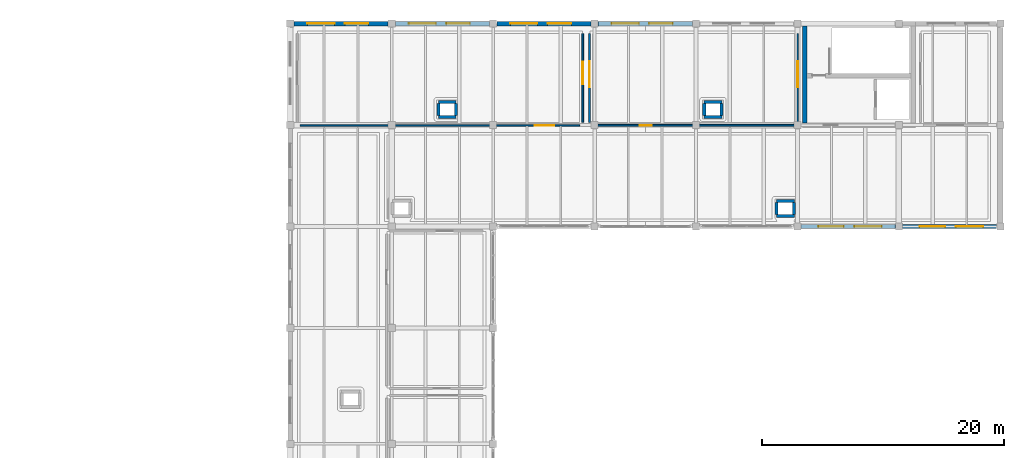
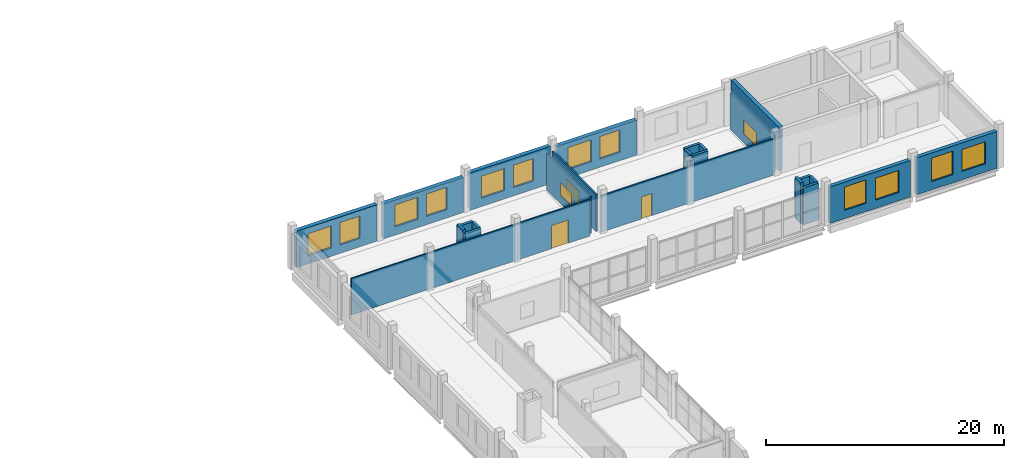
# One storey, part 51 of 54: 24 walls, 15 windows, 2 doors, 17 openings.
"""IFC4 building model written with IfcOpenShell, lengths in metres."""

from ifc_helpers import new_model, si_unit, direction, frame, frame_2d, origin, place, context, subcontext, project, spatial, rectangle, extrude, material, layer, layer_set, type_object, element, fill, save


model = new_model("IFC4")

# Units and contexts
model_context = context("Model", 3, precision=1e-05, world=origin(), true_north=direction((0.0, 1.0)))
body_context = subcontext(model_context, "Body", "Model", "MODEL_VIEW")
ifc_project = project(units=[si_unit("LENGTHUNIT", "METRE"), si_unit("AREAUNIT", "SQUARE_METRE"), si_unit("VOLUMEUNIT", "CUBIC_METRE"), si_unit("PLANEANGLEUNIT", "RADIAN"), si_unit("MASSUNIT", "GRAM", prefix="KILO")], contexts=[model_context])

# Site, building, storey
site_placement = place(None, origin())
site = spatial("IfcSite", under=ifc_project, at=site_placement, CompositionType="ELEMENT")
building_placement = place(site_placement, origin())
building = spatial("IfcBuilding", under=site, at=building_placement, Name="Zulmaris Art Gallery", CompositionType="ELEMENT")
storey_placement = place(building_placement, frame((0.0, 0.0, 26.39990234375)))
storey = spatial("IfcBuildingStorey", under=building, at=storey_placement, Name="L05", CompositionType="ELEMENT", Elevation=26.39990234375)

# Wall, openings, windows
ifc_material_1 = material(Name="Omani Desert Rose Limestone Cladding Wall", Category="masonry")
ifc_layer_1 = layer(ifc_material_1, 0.389892578125)
ifc_layer_set_1 = layer_set([ifc_layer_1], Name="Omani Desert Rose Limestone Cladding Wall")
wall_type_1 = type_object("IfcWallType", Name="ENV-WALL-EW02", PredefinedType="SOLIDWALL", material=ifc_layer_set_1)
wall_1_placement = place(storey_placement, frame((141.902099609375, 75.60009765625, 0.0), z_axis=(0.0, 0.0, 1.0), x_axis=(1.0, 0.0, 0.0)))
wall_1 = element("IfcWall", 1, at=wall_1_placement, inside=storey, type_object=wall_type_1, Name="L05 V5 North Studio Daylight Facade Bay 1", PredefinedType="SOLIDWALL", context=body_context, shape_type="SweptSolid", body=[
    extrude(rectangle(XDim=7.7958984375, YDim=0.389892578125, at=frame_2d((3.89794921875, 0.0))), origin(), (0.0, 0.0, 1.0), 3.739990234375),
])
opening_1_placement = place(wall_1_placement, frame((1.117919921875, 0.0, 0.85009765625)))
opening_1 = element("IfcOpeningElement", 2, at=opening_1_placement, cuts=wall_1, Name="Opening W09", PredefinedType="OPENING", context=body_context, shape_type="SweptSolid", body=[
    extrude(rectangle(XDim=2.25, YDim=2.25, at=frame_2d((1.125, 1.125))), frame((0.0, 0.204833984375, 0.0), z_axis=(0.0, -1.0, 0.0), x_axis=(1.0, 0.0, 0.0)), (0.0, 0.0, 1.0), 0.409912109375),
])
opening_2_placement = place(wall_1_placement, frame((4.218017578125, 0.0, 0.85009765625)))
opening_2 = element("IfcOpeningElement", 3, at=opening_2_placement, cuts=wall_1, Name="Opening W08", PredefinedType="OPENING", context=body_context, shape_type="SweptSolid", body=[
    extrude(rectangle(XDim=1.949951171875, YDim=2.300048828125, at=frame_2d((0.97509765625, 1.14990234375))), frame((0.0, 0.204833984375, 0.0), z_axis=(0.0, -1.0, 0.0), x_axis=(1.0, 0.0, 0.0)), (0.0, 0.0, 1.0), 0.409912109375),
])
ifc_material_2 = material(Name="Curatorial North Studio Window", Category="glass")
window_type_1 = type_object("IfcWindowType", Name="WIN-W08", PartitioningType="SINGLE_PANEL", PredefinedType="WINDOW", material=ifc_material_2)
window_1_placement = place(opening_2_placement, origin())
window_1 = element("IfcWindow", 4, at=window_1_placement, inside=storey, type_object=window_type_1, Name="L05 exterior window W08", OverallHeight=2.300048828125, OverallWidth=1.949951171875, PartitioningType="SINGLE_PANEL", PredefinedType="WINDOW", context=body_context, shape_type="SweptSolid", body=[
    extrude(rectangle(XDim=1.949951171875, YDim=2.300048828125, at=frame_2d((0.97509765625, 1.14990234375))), frame((0.0, 0.030029296875, 0.0), z_axis=(0.0, -1.0, 0.0), x_axis=(1.0, 0.0, 0.0)), (0.0, 0.0, 1.0), 0.06005859375),
])
fill(opening_2, window_1)
ifc_material_3 = material(Name="Fellowship Library Daylight Window", Category="glass")
window_type_2 = type_object("IfcWindowType", Name="WIN-W09", PartitioningType="SINGLE_PANEL", PredefinedType="WINDOW", material=ifc_material_3)
window_2_placement = place(opening_1_placement, origin())
window_2 = element("IfcWindow", 5, at=window_2_placement, inside=storey, type_object=window_type_2, Name="L05 exterior window W09", OverallHeight=2.25, OverallWidth=2.25, PartitioningType="SINGLE_PANEL", PredefinedType="WINDOW", context=body_context, shape_type="SweptSolid", body=[
    extrude(rectangle(XDim=2.25, YDim=2.25, at=frame_2d((1.125, 1.125))), frame((0.0, 0.030029296875, 0.0), z_axis=(0.0, -1.0, 0.0), x_axis=(1.0, 0.0, 0.0)), (0.0, 0.0, 1.0), 0.06005859375),
])
fill(opening_1, window_2)

wall_2_placement = place(storey_placement, frame((150.302001953125, 75.60009765625, 0.0), z_axis=(0.0, 0.0, 1.0), x_axis=(1.0, 0.0, 0.0)))
wall_2 = element("IfcWall", 6, at=wall_2_placement, inside=storey, type_object=wall_type_1, Name="L05 V5 North Studio Daylight Facade Bay 2", PredefinedType="SOLIDWALL", context=body_context, shape_type="SweptSolid", body=[
    extrude(rectangle(XDim=7.7958984375, YDim=0.389892578125, at=frame_2d((3.89794921875, 0.0))), origin(), (0.0, 0.0, 1.0), 3.580078125),
])
opening_3_placement = place(wall_2_placement, frame((1.117919921875, 0.0, 0.85009765625)))
opening_3 = element("IfcOpeningElement", 7, at=opening_3_placement, cuts=wall_2, Name="Opening W09", PredefinedType="OPENING", context=body_context, shape_type="SweptSolid", body=[
    extrude(rectangle(XDim=2.25, YDim=2.25, at=frame_2d((1.125, 1.125))), frame((0.0, 0.204833984375, 0.0), z_axis=(0.0, -1.0, 0.0), x_axis=(1.0, 0.0, 0.0)), (0.0, 0.0, 1.0), 0.409912109375),
])
opening_4_placement = place(wall_2_placement, frame((4.218017578125, 0.0, 0.85009765625)))
opening_4 = element("IfcOpeningElement", 8, at=opening_4_placement, cuts=wall_2, Name="Opening W08", PredefinedType="OPENING", context=body_context, shape_type="SweptSolid", body=[
    extrude(rectangle(XDim=1.949951171875, YDim=2.300048828125, at=frame_2d((0.97509765625, 1.14990234375))), frame((0.0, 0.204833984375, 0.0), z_axis=(0.0, -1.0, 0.0), x_axis=(1.0, 0.0, 0.0)), (0.0, 0.0, 1.0), 0.409912109375),
])
window_3_placement = place(opening_4_placement, origin())
window_3 = element("IfcWindow", 9, at=window_3_placement, inside=storey, type_object=window_type_1, Name="L05 exterior window W08", OverallHeight=2.300048828125, OverallWidth=1.949951171875, PartitioningType="SINGLE_PANEL", PredefinedType="WINDOW", context=body_context, shape_type="SweptSolid", body=[
    extrude(rectangle(XDim=1.949951171875, YDim=2.300048828125, at=frame_2d((0.97509765625, 1.14990234375))), frame((0.0, 0.030029296875, 0.0), z_axis=(0.0, -1.0, 0.0), x_axis=(1.0, 0.0, 0.0)), (0.0, 0.0, 1.0), 0.06005859375),
])
fill(opening_4, window_3)
window_4_placement = place(opening_3_placement, origin())
window_4 = element("IfcWindow", 10, at=window_4_placement, inside=storey, type_object=window_type_2, Name="L05 exterior window W09", OverallHeight=2.25, OverallWidth=2.25, PartitioningType="SINGLE_PANEL", PredefinedType="WINDOW", context=body_context, shape_type="SweptSolid", body=[
    extrude(rectangle(XDim=2.25, YDim=2.25, at=frame_2d((1.125, 1.125))), frame((0.0, 0.030029296875, 0.0), z_axis=(0.0, -1.0, 0.0), x_axis=(1.0, 0.0, 0.0)), (0.0, 0.0, 1.0), 0.06005859375),
])
fill(opening_3, window_4)

wall_3_placement = place(storey_placement, frame((158.701904296875, 75.60009765625, 0.0), z_axis=(0.0, 0.0, 1.0), x_axis=(1.0, 0.0, 0.0)))
wall_3 = element("IfcWall", 11, at=wall_3_placement, inside=storey, type_object=wall_type_1, Name="L05 V5 North Studio Daylight Facade Bay 3", PredefinedType="SOLIDWALL", context=body_context, shape_type="SweptSolid", body=[
    extrude(rectangle(XDim=7.796142578125, YDim=0.389892578125, at=frame_2d((3.89794921875, 0.0))), origin(), (0.0, 0.0, 1.0), 3.830078125),
])
opening_5_placement = place(wall_3_placement, frame((1.117919921875, 0.0, 0.85009765625)))
opening_5 = element("IfcOpeningElement", 12, at=opening_5_placement, cuts=wall_3, Name="Opening W09", PredefinedType="OPENING", context=body_context, shape_type="SweptSolid", body=[
    extrude(rectangle(XDim=2.25, YDim=2.25, at=frame_2d((1.125, 1.125))), frame((0.0, 0.204833984375, 0.0), z_axis=(0.0, -1.0, 0.0), x_axis=(1.0, 0.0, 0.0)), (0.0, 0.0, 1.0), 0.409912109375),
])
opening_6_placement = place(wall_3_placement, frame((4.218017578125, 0.0, 0.85009765625)))
opening_6 = element("IfcOpeningElement", 13, at=opening_6_placement, cuts=wall_3, Name="Opening W08", PredefinedType="OPENING", context=body_context, shape_type="SweptSolid", body=[
    extrude(rectangle(XDim=1.949951171875, YDim=2.300048828125, at=frame_2d((0.97509765625, 1.14990234375))), frame((0.0, 0.204833984375, 0.0), z_axis=(0.0, -1.0, 0.0), x_axis=(1.0, 0.0, 0.0)), (0.0, 0.0, 1.0), 0.409912109375),
])
window_5_placement = place(opening_6_placement, origin())
window_5 = element("IfcWindow", 14, at=window_5_placement, inside=storey, type_object=window_type_1, Name="L05 exterior window W08", OverallHeight=2.300048828125, OverallWidth=1.949951171875, PartitioningType="SINGLE_PANEL", PredefinedType="WINDOW", context=body_context, shape_type="SweptSolid", body=[
    extrude(rectangle(XDim=1.949951171875, YDim=2.300048828125, at=frame_2d((0.97509765625, 1.14990234375))), frame((0.0, 0.030029296875, 0.0), z_axis=(0.0, -1.0, 0.0), x_axis=(1.0, 0.0, 0.0)), (0.0, 0.0, 1.0), 0.06005859375),
])
fill(opening_6, window_5)
window_6_placement = place(opening_5_placement, origin())
window_6 = element("IfcWindow", 15, at=window_6_placement, inside=storey, type_object=window_type_2, Name="L05 exterior window W09", OverallHeight=2.25, OverallWidth=2.25, PartitioningType="SINGLE_PANEL", PredefinedType="WINDOW", context=body_context, shape_type="SweptSolid", body=[
    extrude(rectangle(XDim=2.25, YDim=2.25, at=frame_2d((1.125, 1.125))), frame((0.0, 0.030029296875, 0.0), z_axis=(0.0, -1.0, 0.0), x_axis=(1.0, 0.0, 0.0)), (0.0, 0.0, 1.0), 0.06005859375),
])
fill(opening_5, window_6)

wall_4_placement = place(storey_placement, frame((167.10205078125, 75.60009765625, 0.0), z_axis=(0.0, 0.0, 1.0), x_axis=(1.0, 0.0, 0.0)))
wall_4 = element("IfcWall", 16, at=wall_4_placement, inside=storey, type_object=wall_type_1, Name="L05 V5 North Studio Daylight Facade Bay 4", PredefinedType="SOLIDWALL", context=body_context, shape_type="SweptSolid", body=[
    extrude(rectangle(XDim=7.7958984375, YDim=0.389892578125, at=frame_2d((3.89794921875, 0.0))), origin(), (0.0, 0.0, 1.0), 3.580078125),
])
opening_7_placement = place(wall_4_placement, frame((1.117919921875, 0.0, 0.85009765625)))
opening_7 = element("IfcOpeningElement", 17, at=opening_7_placement, cuts=wall_4, Name="Opening W09", PredefinedType="OPENING", context=body_context, shape_type="SweptSolid", body=[
    extrude(rectangle(XDim=2.25, YDim=2.25, at=frame_2d((1.125, 1.125))), frame((0.0, 0.204833984375, 0.0), z_axis=(0.0, -1.0, 0.0), x_axis=(1.0, 0.0, 0.0)), (0.0, 0.0, 1.0), 0.409912109375),
])
opening_8_placement = place(wall_4_placement, frame((4.218017578125, 0.0, 0.85009765625)))
opening_8 = element("IfcOpeningElement", 18, at=opening_8_placement, cuts=wall_4, Name="Opening W08", PredefinedType="OPENING", context=body_context, shape_type="SweptSolid", body=[
    extrude(rectangle(XDim=1.949951171875, YDim=2.300048828125, at=frame_2d((0.97509765625, 1.14990234375))), frame((0.0, 0.204833984375, 0.0), z_axis=(0.0, -1.0, 0.0), x_axis=(1.0, 0.0, 0.0)), (0.0, 0.0, 1.0), 0.409912109375),
])
window_7_placement = place(opening_8_placement, origin())
window_7 = element("IfcWindow", 19, at=window_7_placement, inside=storey, type_object=window_type_1, Name="L05 exterior window W08", OverallHeight=2.300048828125, OverallWidth=1.949951171875, PartitioningType="SINGLE_PANEL", PredefinedType="WINDOW", context=body_context, shape_type="SweptSolid", body=[
    extrude(rectangle(XDim=1.949951171875, YDim=2.300048828125, at=frame_2d((0.97509765625, 1.14990234375))), frame((0.0, 0.030029296875, 0.0), z_axis=(0.0, -1.0, 0.0), x_axis=(1.0, 0.0, 0.0)), (0.0, 0.0, 1.0), 0.06005859375),
])
fill(opening_8, window_7)
window_8_placement = place(opening_7_placement, origin())
window_8 = element("IfcWindow", 20, at=window_8_placement, inside=storey, type_object=window_type_2, Name="L05 exterior window W09", OverallHeight=2.25, OverallWidth=2.25, PartitioningType="SINGLE_PANEL", PredefinedType="WINDOW", context=body_context, shape_type="SweptSolid", body=[
    extrude(rectangle(XDim=2.25, YDim=2.25, at=frame_2d((1.125, 1.125))), frame((0.0, 0.030029296875, 0.0), z_axis=(0.0, -1.0, 0.0), x_axis=(1.0, 0.0, 0.0)), (0.0, 0.0, 1.0), 0.06005859375),
])
fill(opening_7, window_8)

ifc_material_4 = material(Name="Honed Omani Travertine Insulated Wall", Category="masonry")
ifc_layer_2 = layer(ifc_material_4, 0.360107421875)
ifc_layer_set_2 = layer_set([ifc_layer_2], Name="Honed Omani Travertine Insulated Wall")
wall_type_2 = type_object("IfcWallType", Name="ENV-WALL-EW03", PredefinedType="SOLIDWALL", material=ifc_layer_set_2)
wall_5_placement = place(storey_placement, frame((183.902099609375, 58.800048828125, 0.0), z_axis=(0.0, 0.0, 1.0), x_axis=(1.0, 0.0, 0.0)))
wall_5 = element("IfcWall", 21, at=wall_5_placement, inside=storey, type_object=wall_type_2, Name="L05 V5 Stepped South Studio Wall", PredefinedType="SOLIDWALL", context=body_context, shape_type="SweptSolid", body=[
    extrude(rectangle(XDim=7.7958984375, YDim=0.360107421875, at=frame_2d((3.89794921875, 0.0))), origin(), (0.0, 0.0, 1.0), 3.739990234375),
])
opening_9_placement = place(wall_5_placement, frame((1.41796875, 0.0, 0.85009765625)))
opening_9 = element("IfcOpeningElement", 22, at=opening_9_placement, cuts=wall_5, Name="Opening W03", PredefinedType="OPENING", context=body_context, shape_type="SweptSolid", body=[
    extrude(rectangle(XDim=2.10009765625, YDim=2.39990234375, at=frame_2d((1.050048828125, 1.199951171875))), frame((0.0, 0.18994140625, 0.0), z_axis=(0.0, -1.0, 0.0), x_axis=(1.0, 0.0, 0.0)), (0.0, 0.0, 1.0), 0.380126953125),
])
opening_10_placement = place(wall_5_placement, frame((4.41796875, 0.0, 0.85009765625)))
opening_10 = element("IfcOpeningElement", 23, at=opening_10_placement, cuts=wall_5, Name="Opening W09", PredefinedType="OPENING", context=body_context, shape_type="SweptSolid", body=[
    extrude(rectangle(XDim=2.25, YDim=2.25, at=frame_2d((1.125, 1.125))), frame((0.0, 0.18994140625, 0.0), z_axis=(0.0, -1.0, 0.0), x_axis=(1.0, 0.0, 0.0)), (0.0, 0.0, 1.0), 0.380126953125),
])
ifc_material_5 = material(Name="Double-Glazed Bronze-Framed Studio Window", Category="glass")
window_type_3 = type_object("IfcWindowType", Name="WIN-W03", PartitioningType="SINGLE_PANEL", PredefinedType="WINDOW", material=ifc_material_5)
window_9_placement = place(opening_9_placement, origin())
window_9 = element("IfcWindow", 24, at=window_9_placement, inside=storey, type_object=window_type_3, Name="L05 exterior window W03", OverallHeight=2.39990234375, OverallWidth=2.10009765625, PartitioningType="SINGLE_PANEL", PredefinedType="WINDOW", context=body_context, shape_type="SweptSolid", body=[
    extrude(rectangle(XDim=2.10009765625, YDim=2.39990234375, at=frame_2d((1.050048828125, 1.199951171875))), frame((0.0, 0.030029296875, 0.0), z_axis=(0.0, -1.0, 0.0), x_axis=(1.0, 0.0, 0.0)), (0.0, 0.0, 1.0), 0.06005859375),
])
fill(opening_9, window_9)
window_10_placement = place(opening_10_placement, origin())
window_10 = element("IfcWindow", 25, at=window_10_placement, inside=storey, type_object=window_type_2, Name="L05 exterior window W09", OverallHeight=2.25, OverallWidth=2.25, PartitioningType="SINGLE_PANEL", PredefinedType="WINDOW", context=body_context, shape_type="SweptSolid", body=[
    extrude(rectangle(XDim=2.25, YDim=2.25, at=frame_2d((1.125, 1.125))), frame((0.0, 0.030029296875, 0.0), z_axis=(0.0, -1.0, 0.0), x_axis=(1.0, 0.0, 0.0)), (0.0, 0.0, 1.0), 0.06005859375),
])
fill(opening_10, window_10)

wall_6_placement = place(storey_placement, frame((192.302001953125, 58.800048828125, 0.0), z_axis=(0.0, 0.0, 1.0), x_axis=(1.0, 0.0, 0.0)))
wall_6 = element("IfcWall", 26, at=wall_6_placement, inside=storey, type_object=wall_type_2, Name="L05 V5 Stepped South Studio Wall", PredefinedType="SOLIDWALL", context=body_context, shape_type="SweptSolid", body=[
    extrude(rectangle(XDim=7.7958984375, YDim=0.360107421875, at=frame_2d((3.89794921875, 0.0))), origin(), (0.0, 0.0, 1.0), 3.780029296875),
])
opening_11_placement = place(wall_6_placement, frame((1.41796875, 0.0, 0.85009765625)))
opening_11 = element("IfcOpeningElement", 27, at=opening_11_placement, cuts=wall_6, Name="Opening W03", PredefinedType="OPENING", context=body_context, shape_type="SweptSolid", body=[
    extrude(rectangle(XDim=2.10009765625, YDim=2.39990234375, at=frame_2d((1.050048828125, 1.199951171875))), frame((0.0, 0.18994140625, 0.0), z_axis=(0.0, -1.0, 0.0), x_axis=(1.0, 0.0, 0.0)), (0.0, 0.0, 1.0), 0.380126953125),
])
opening_12_placement = place(wall_6_placement, frame((4.41796875, 0.0, 0.85009765625)))
opening_12 = element("IfcOpeningElement", 28, at=opening_12_placement, cuts=wall_6, Name="Opening W09", PredefinedType="OPENING", context=body_context, shape_type="SweptSolid", body=[
    extrude(rectangle(XDim=2.25, YDim=2.25, at=frame_2d((1.125, 1.125))), frame((0.0, 0.18994140625, 0.0), z_axis=(0.0, -1.0, 0.0), x_axis=(1.0, 0.0, 0.0)), (0.0, 0.0, 1.0), 0.380126953125),
])
window_11_placement = place(opening_11_placement, origin())
window_11 = element("IfcWindow", 29, at=window_11_placement, inside=storey, type_object=window_type_3, Name="L05 exterior window W03", OverallHeight=2.39990234375, OverallWidth=2.10009765625, PartitioningType="SINGLE_PANEL", PredefinedType="WINDOW", context=body_context, shape_type="SweptSolid", body=[
    extrude(rectangle(XDim=2.10009765625, YDim=2.39990234375, at=frame_2d((1.050048828125, 1.199951171875))), frame((0.0, 0.030029296875, 0.0), z_axis=(0.0, -1.0, 0.0), x_axis=(1.0, 0.0, 0.0)), (0.0, 0.0, 1.0), 0.06005859375),
])
fill(opening_11, window_11)
window_12_placement = place(opening_12_placement, origin())
window_12 = element("IfcWindow", 30, at=window_12_placement, inside=storey, type_object=window_type_2, Name="L05 exterior window W09", OverallHeight=2.25, OverallWidth=2.25, PartitioningType="SINGLE_PANEL", PredefinedType="WINDOW", context=body_context, shape_type="SweptSolid", body=[
    extrude(rectangle(XDim=2.25, YDim=2.25, at=frame_2d((1.125, 1.125))), frame((0.0, 0.030029296875, 0.0), z_axis=(0.0, -1.0, 0.0), x_axis=(1.0, 0.0, 0.0)), (0.0, 0.0, 1.0), 0.06005859375),
])
fill(opening_12, window_12)

# Wall, opening, door
ifc_material_6 = material(Name="Light Gallery Backing Partition", Category="gypsum")
ifc_layer_3 = layer(ifc_material_6, 0.1298828125)
ifc_layer_set_3 = layer_set([ifc_layer_3], Name="Light Gallery Backing Partition")
wall_type_3 = type_object("IfcWallType", Name="IWALL-PW03", PredefinedType="PARTITIONING", material=ifc_layer_set_3)
wall_7_placement = place(storey_placement, frame((142.429931640625, 67.179931640625, 0.0), z_axis=(0.0, 0.0, 1.0), x_axis=(1.0, 0.0, 0.0)))
wall_7 = element("IfcWall", 31, at=wall_7_placement, inside=storey, type_object=wall_type_3, Name="Resident Artists' Studio 5 (Large Format) S partition", PredefinedType="PARTITIONING", context=body_context, shape_type="SweptSolid", body=[
    extrude(rectangle(XDim=23.14013671875, YDim=0.1298828125, at=frame_2d((11.570068359375, 0.0))), origin(), (0.0, 0.0, 1.0), 3.72998046875),
])
opening_13_placement = place(wall_7_placement, frame((19.39990234375, 0.0, 0.0)))
opening_13 = element("IfcOpeningElement", 32, at=opening_13_placement, cuts=wall_7, Name="Opening D22", PredefinedType="OPENING", context=body_context, shape_type="SweptSolid", body=[
    extrude(rectangle(XDim=1.6201171875, YDim=2.3798828125, at=frame_2d((0.81005859375, 1.18994140625))), frame((0.0, 0.074951171875, 0.0), z_axis=(0.0, -1.0, 0.0), x_axis=(1.0, 0.0, 0.0)), (0.0, 0.0, 1.0), 0.14990234375),
])
ifc_material_7 = material(Name="Archive Vault Vestibule Door", Category="steel")
door_type_1 = type_object("IfcDoorType", Name="IDOOR-D22", OperationType="DOUBLE_SWING_RIGHT", PredefinedType="DOOR", material=ifc_material_7)
door_1_placement = place(opening_13_placement, origin())
door_1 = element("IfcDoor", 33, at=door_1_placement, inside=storey, type_object=door_type_1, Name="Resident Artists' Studio 5 (Large Format) Door", OperationType="DOUBLE_SWING_RIGHT", OverallHeight=2.3798828125, OverallWidth=1.6201171875, PredefinedType="DOOR", context=body_context, shape_type="SweptSolid", body=[
    extrude(rectangle(XDim=1.6201171875, YDim=2.3798828125, at=frame_2d((0.81005859375, 1.18994140625))), frame((0.0, 0.02490234375, 0.0), z_axis=(0.0, -1.0, 0.0), x_axis=(1.0, 0.0, 0.0)), (0.0, 0.0, 1.0), 0.050048828125),
])
fill(opening_13, door_1)

# Wall, opening, window
wall_8_placement = place(storey_placement, frame((165.820068359375, 67.429931640625, 0.0), z_axis=(0.0, 0.0, 1.0), x_axis=(0.0, 1.0, 0.0)))
wall_8 = element("IfcWall", 34, at=wall_8_placement, inside=storey, type_object=wall_type_3, Name="Resident Artists' Studio 5 (Large Format) E partition", PredefinedType="PARTITIONING", context=body_context, shape_type="SweptSolid", body=[
    extrude(rectangle(XDim=7.340087890625, YDim=0.1298828125, at=frame_2d((3.669921875, 0.0))), origin(), (0.0, 0.0, 1.0), 3.780029296875),
])
opening_14_placement = place(wall_8_placement, frame((3.14990234375, 0.0, 0.89990234375)))
opening_14 = element("IfcOpeningElement", 35, at=opening_14_placement, cuts=wall_8, Name="Opening IW02", PredefinedType="OPENING", context=body_context, shape_type="SweptSolid", body=[
    extrude(rectangle(XDim=1.860107421875, YDim=1.280029296875, at=frame_2d((0.93017578125, 0.64013671875))), frame((0.0, 0.074951171875, 0.0), z_axis=(0.0, -1.0, 0.0), x_axis=(1.0, 0.0, 0.0)), (0.0, 0.0, 1.0), 0.14990234375),
])
ifc_material_8 = material(Name="Auditorium Booth Acoustic Window", Category="glass")
window_type_4 = type_object("IfcWindowType", Name="IWIN-IW02", PartitioningType="SINGLE_PANEL", PredefinedType="WINDOW", material=ifc_material_8)
window_13_placement = place(opening_14_placement, origin())
window_13 = element("IfcWindow", 36, at=window_13_placement, inside=storey, type_object=window_type_4, Name="L05 interior observation window IW02", OverallHeight=1.280029296875, OverallWidth=1.860107421875, PartitioningType="SINGLE_PANEL", PredefinedType="WINDOW", context=body_context, shape_type="SweptSolid", body=[
    extrude(rectangle(XDim=1.860107421875, YDim=1.280029296875, at=frame_2d((0.93017578125, 0.64013671875))), frame((0.0, 0.030029296875, 0.0), z_axis=(0.0, -1.0, 0.0), x_axis=(1.0, 0.0, 0.0)), (0.0, 0.0, 1.0), 0.06005859375),
])
fill(opening_14, window_13)

# Wall, opening, door
ifc_material_9 = material(Name="Plywood-Backed Gallery Hanging Partition", Category="wood")
ifc_layer_4 = layer(ifc_material_9, 0.14501953125)
ifc_layer_set_4 = layer_set([ifc_layer_4], Name="Plywood-Backed Gallery Hanging Partition")
wall_type_4 = type_object("IfcWallType", Name="IWALL-PW04", PredefinedType="PARTITIONING", material=ifc_layer_set_4)
wall_9_placement = place(storey_placement, frame((166.6298828125, 67.179931640625, 0.0), z_axis=(0.0, 0.0, 1.0), x_axis=(1.0, 0.0, 0.0)))
wall_9 = element("IfcWall", 37, at=wall_9_placement, inside=storey, type_object=wall_type_4, Name="Resident Artists' Studio 6 (Textile & Loom) S partition", PredefinedType="PARTITIONING", context=body_context, shape_type="SweptSolid", body=[
    extrude(rectangle(XDim=16.740234375, YDim=0.14501953125, at=frame_2d((8.3701171875, 0.0))), origin(), (0.0, 0.0, 1.0), 3.72998046875),
])
opening_15_placement = place(wall_9_placement, frame((3.89990234375, 0.0, 0.0)))
opening_15 = element("IfcOpeningElement", 38, at=opening_15_placement, cuts=wall_9, Name="Opening D23", PredefinedType="OPENING", context=body_context, shape_type="SweptSolid", body=[
    extrude(rectangle(XDim=1.02001953125, YDim=2.260009765625, at=frame_2d((0.510009765625, 1.1298828125))), frame((0.0, 0.08251953125, 0.0), z_axis=(0.0, -1.0, 0.0), x_axis=(1.0, 0.0, 0.0)), (0.0, 0.0, 1.0), 0.1650390625),
])
ifc_material_10 = material(Name="Green Room Performer Door", Category="timber")
door_type_2 = type_object("IfcDoorType", Name="IDOOR-D23", OperationType="NOTDEFINED", PredefinedType="DOOR", material=ifc_material_10)
door_2_placement = place(opening_15_placement, origin())
door_2 = element("IfcDoor", 39, at=door_2_placement, inside=storey, type_object=door_type_2, Name="Resident Artists' Studio 6 (Textile & Loom) Door", OperationType="SINGLE_SWING_RIGHT", OverallHeight=2.260009765625, OverallWidth=1.02001953125, PredefinedType="DOOR", context=body_context, shape_type="SweptSolid", body=[
    extrude(rectangle(XDim=1.02001953125, YDim=2.260009765625, at=frame_2d((0.510009765625, 1.1298828125))), frame((0.0, 0.02490234375, 0.0), z_axis=(0.0, -1.0, 0.0), x_axis=(1.0, 0.0, 0.0)), (0.0, 0.0, 1.0), 0.050048828125),
])
fill(opening_15, door_2)

# Wall, opening, window
wall_10_placement = place(storey_placement, frame((166.3798828125, 67.429931640625, 0.0), z_axis=(0.0, 0.0, 1.0), x_axis=(0.0, 1.0, 0.0)))
wall_10 = element("IfcWall", 40, at=wall_10_placement, inside=storey, type_object=wall_type_4, Name="Resident Artists' Studio 6 (Textile & Loom) W partition", PredefinedType="PARTITIONING", context=body_context, shape_type="SweptSolid", body=[
    extrude(rectangle(XDim=7.340087890625, YDim=0.14501953125, at=frame_2d((3.669921875, 0.0))), origin(), (0.0, 0.0, 1.0), 3.780029296875),
])
opening_16_placement = place(wall_10_placement, frame((2.89990234375, 0.0, 0.89990234375)))
opening_16 = element("IfcOpeningElement", 41, at=opening_16_placement, cuts=wall_10, Name="Opening IW03", PredefinedType="OPENING", context=body_context, shape_type="SweptSolid", body=[
    extrude(rectangle(XDim=2.159912109375, YDim=1.419921875, at=frame_2d((1.080078125, 0.7099609375))), frame((0.0, 0.08251953125, 0.0), z_axis=(0.0, -1.0, 0.0), x_axis=(1.0, 0.0, 0.0)), (0.0, 0.0, 1.0), 0.1650390625),
])
ifc_material_11 = material(Name="Analytical Lab Observation Window", Category="glass")
window_type_5 = type_object("IfcWindowType", Name="IWIN-IW03", PartitioningType="SINGLE_PANEL", PredefinedType="WINDOW", material=ifc_material_11)
window_14_placement = place(opening_16_placement, origin())
window_14 = element("IfcWindow", 42, at=window_14_placement, inside=storey, type_object=window_type_5, Name="L05 interior observation window IW03", OverallHeight=1.419921875, OverallWidth=2.159912109375, PartitioningType="SINGLE_PANEL", PredefinedType="WINDOW", context=body_context, shape_type="SweptSolid", body=[
    extrude(rectangle(XDim=2.159912109375, YDim=1.419921875, at=frame_2d((1.080078125, 0.7099609375))), frame((0.0, 0.030029296875, 0.0), z_axis=(0.0, -1.0, 0.0), x_axis=(1.0, 0.0, 0.0)), (0.0, 0.0, 1.0), 0.06005859375),
])
fill(opening_16, window_14)

wall_11_placement = place(storey_placement, frame((183.6201171875, 67.429931640625, 0.0), z_axis=(0.0, 0.0, 1.0), x_axis=(0.0, 1.0, 0.0)))
wall_11 = element("IfcWall", 43, at=wall_11_placement, inside=storey, type_object=wall_type_4, Name="Resident Artists' Studio 6 (Textile & Loom) E partition", PredefinedType="PARTITIONING", context=body_context, shape_type="SweptSolid", body=[
    extrude(rectangle(XDim=7.340087890625, YDim=0.14501953125, at=frame_2d((3.669921875, 0.0))), origin(), (0.0, 0.0, 1.0), 3.72998046875),
])
opening_17_placement = place(wall_11_placement, frame((2.89990234375, 0.0, 0.89990234375)))
opening_17 = element("IfcOpeningElement", 44, at=opening_17_placement, cuts=wall_11, Name="Opening IW03", PredefinedType="OPENING", context=body_context, shape_type="SweptSolid", body=[
    extrude(rectangle(XDim=2.159912109375, YDim=1.419921875, at=frame_2d((1.080078125, 0.7099609375))), frame((0.0, 0.08251953125, 0.0), z_axis=(0.0, -1.0, 0.0), x_axis=(1.0, 0.0, 0.0)), (0.0, 0.0, 1.0), 0.1650390625),
])
window_15_placement = place(opening_17_placement, origin())
window_15 = element("IfcWindow", 45, at=window_15_placement, inside=storey, type_object=window_type_5, Name="L05 interior observation window IW03", OverallHeight=1.419921875, OverallWidth=2.159912109375, PartitioningType="SINGLE_PANEL", PredefinedType="WINDOW", context=body_context, shape_type="SweptSolid", body=[
    extrude(rectangle(XDim=2.159912109375, YDim=1.419921875, at=frame_2d((1.080078125, 0.7099609375))), frame((0.0, 0.030029296875, 0.0), z_axis=(0.0, -1.0, 0.0), x_axis=(1.0, 0.0, 0.0)), (0.0, 0.0, 1.0), 0.06005859375),
])
fill(opening_17, window_15)

# Walls
ifc_material_12 = material(Name="MEP Riser & Smoke Shaft Enclosure Wall", Category="masonry")
ifc_layer_5 = layer(ifc_material_12, 0.2548828125)
ifc_layer_set_5 = layer_set([ifc_layer_5], Name="MEP Riser & Smoke Shaft Enclosure Wall")
wall_type_5 = type_object("IfcWallType", Name="IWALL-PW11", PredefinedType="PARTITIONING", material=ifc_layer_set_5)
for number, where, z_axis, x_axis, name in (
    (46, (181.860107421875, 60.919921875, 0.0), (0.0, 0.0, 1.0), (1.0, 0.0, 0.0), "L05 MEP Riser 14 N wall"),
    (47, (181.860107421875, 59.679931640625, 0.0), (0.0, 0.0, 1.0), (1.0, 0.0, 0.0), "L05 MEP Riser 14 S wall"),
):
    element("IfcWall", number, at=place(storey_placement, frame(where, z_axis=z_axis, x_axis=x_axis)), inside=storey, type_object=wall_type_5, Name=name, PredefinedType="PARTITIONING", context=body_context, shape_type="SweptSolid", body=[
        extrude(rectangle(XDim=1.47998046875, YDim=0.2548828125, at=frame_2d((0.739990234375, 0.0))), origin(), (0.0, 0.0, 1.0), 3.780029296875),
    ])
wall_12_placement = place(storey_placement, frame((181.8798828125, 59.800048828125, 0.0), z_axis=(0.0, 0.0, 1.0), x_axis=(0.0, 1.0, 0.0)))
element("IfcWall", 48, at=wall_12_placement, inside=storey, type_object=wall_type_5, Name="L05 MEP Riser 14 W wall", PredefinedType="PARTITIONING", context=body_context, shape_type="SweptSolid", body=[
    extrude(rectangle(XDim=1.0, YDim=0.2548828125, at=frame_2d((0.5, 0.0))), origin(), (0.0, 0.0, 1.0), 4.2001953125),
])
wall_13_placement = place(storey_placement, frame((183.320068359375, 59.800048828125, 0.0), z_axis=(0.0, 0.0, 1.0), x_axis=(0.0, 1.0, 0.0)))
element("IfcWall", 49, at=wall_13_placement, inside=storey, type_object=wall_type_5, Name="L05 MEP Riser 14 E wall", PredefinedType="PARTITIONING", context=body_context, shape_type="SweptSolid", body=[
    extrude(rectangle(XDim=1.0, YDim=0.2548828125, at=frame_2d((0.5, 0.0))), origin(), (0.0, 0.0, 1.0), 3.780029296875),
])
for number, where, z_axis, x_axis, name in (
    (50, (153.860107421875, 69.1201171875, 0.0), (0.0, 0.0, 1.0), (1.0, 0.0, 0.0), "L05 MEP Riser 15 N wall"),
    (51, (153.860107421875, 67.8798828125, 0.0), (0.0, 0.0, 1.0), (1.0, 0.0, 0.0), "L05 MEP Riser 15 S wall"),
):
    element("IfcWall", number, at=place(storey_placement, frame(where, z_axis=z_axis, x_axis=x_axis)), inside=storey, type_object=wall_type_5, Name=name, PredefinedType="PARTITIONING", context=body_context, shape_type="SweptSolid", body=[
        extrude(rectangle(XDim=1.47998046875, YDim=0.2548828125, at=frame_2d((0.739990234375, 0.0))), origin(), (0.0, 0.0, 1.0), 3.91015625),
    ])
wall_14_placement = place(storey_placement, frame((153.8798828125, 68.0, 0.0), z_axis=(0.0, 0.0, 1.0), x_axis=(0.0, 1.0, 0.0)))
element("IfcWall", 52, at=wall_14_placement, inside=storey, type_object=wall_type_5, Name="L05 MEP Riser 15 W wall", PredefinedType="PARTITIONING", context=body_context, shape_type="SweptSolid", body=[
    extrude(rectangle(XDim=1.0, YDim=0.2548828125, at=frame_2d((0.5, 0.0))), origin(), (0.0, 0.0, 1.0), 4.2001953125),
])
wall_15_placement = place(storey_placement, frame((155.320068359375, 68.0, 0.0), z_axis=(0.0, 0.0, 1.0), x_axis=(0.0, 1.0, 0.0)))
element("IfcWall", 53, at=wall_15_placement, inside=storey, type_object=wall_type_5, Name="L05 MEP Riser 15 E wall", PredefinedType="PARTITIONING", context=body_context, shape_type="SweptSolid", body=[
    extrude(rectangle(XDim=1.0, YDim=0.2548828125, at=frame_2d((0.5, 0.0))), origin(), (0.0, 0.0, 1.0), 3.91015625),
])
for number, where, z_axis, x_axis, name in (
    (54, (175.860107421875, 69.1201171875, 0.0), (0.0, 0.0, 1.0), (1.0, 0.0, 0.0), "L05 MEP Riser 16 N wall"),
    (55, (175.860107421875, 67.8798828125, 0.0), (0.0, 0.0, 1.0), (1.0, 0.0, 0.0), "L05 MEP Riser 16 S wall"),
):
    element("IfcWall", number, at=place(storey_placement, frame(where, z_axis=z_axis, x_axis=x_axis)), inside=storey, type_object=wall_type_5, Name=name, PredefinedType="PARTITIONING", context=body_context, shape_type="SweptSolid", body=[
        extrude(rectangle(XDim=1.47998046875, YDim=0.2548828125, at=frame_2d((0.739990234375, 0.0))), origin(), (0.0, 0.0, 1.0), 4.2001953125),
    ])
for number, where, z_axis, x_axis, name in (
    (56, (175.8798828125, 68.0, 0.0), (0.0, 0.0, 1.0), (0.0, 1.0, 0.0), "L05 MEP Riser 16 W wall"),
    (57, (177.320068359375, 68.0, 0.0), (0.0, 0.0, 1.0), (0.0, 1.0, 0.0), "L05 MEP Riser 16 E wall"),
):
    element("IfcWall", number, at=place(storey_placement, frame(where, z_axis=z_axis, x_axis=x_axis)), inside=storey, type_object=wall_type_5, Name=name, PredefinedType="PARTITIONING", context=body_context, shape_type="SweptSolid", body=[
        extrude(rectangle(XDim=1.0, YDim=0.2548828125, at=frame_2d((0.5, 0.0))), origin(), (0.0, 0.0, 1.0), 4.2001953125),
    ])
ifc_material_13 = material(Name="Concrete C50/60", Category="concrete")
ifc_layer_6 = layer(ifc_material_13, 0.3798828125)
ifc_layer_set_6 = layer_set([ifc_layer_6], Name="Concrete C50/60")
wall_type_6 = type_object("IfcWallType", Name="STR-WALL-SW02", PredefinedType="SHEAR", material=ifc_layer_set_6)
wall_16_placement = place(storey_placement, frame((184.199951171875, 67.389892578125, 0.0), z_axis=(0.0, 0.0, 1.0), x_axis=(0.0, 1.0, 0.0)))
element("IfcWall", 58, at=wall_16_placement, inside=storey, type_object=wall_type_6, Name="Core C4 L05 W shear wall", PredefinedType="SHEAR", context=body_context, shape_type="SweptSolid", body=[
    extrude(rectangle(XDim=8.02001953125, YDim=0.3798828125, at=frame_2d((4.010009765625, 0.0))), origin(), (0.0, 0.0, 1.0), 4.5),
])

save(model, "model.ifc")
